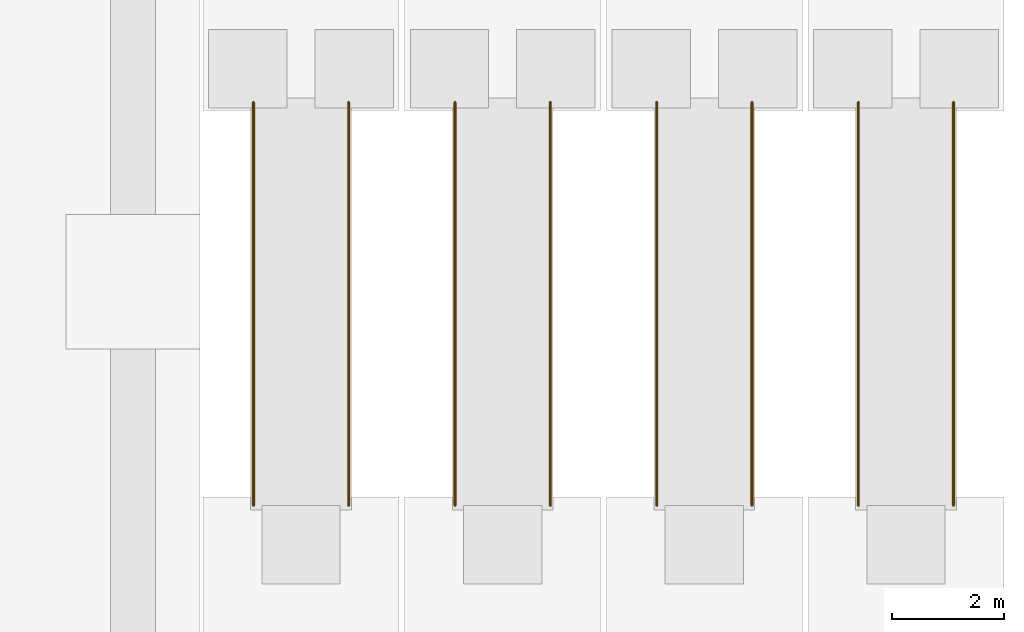
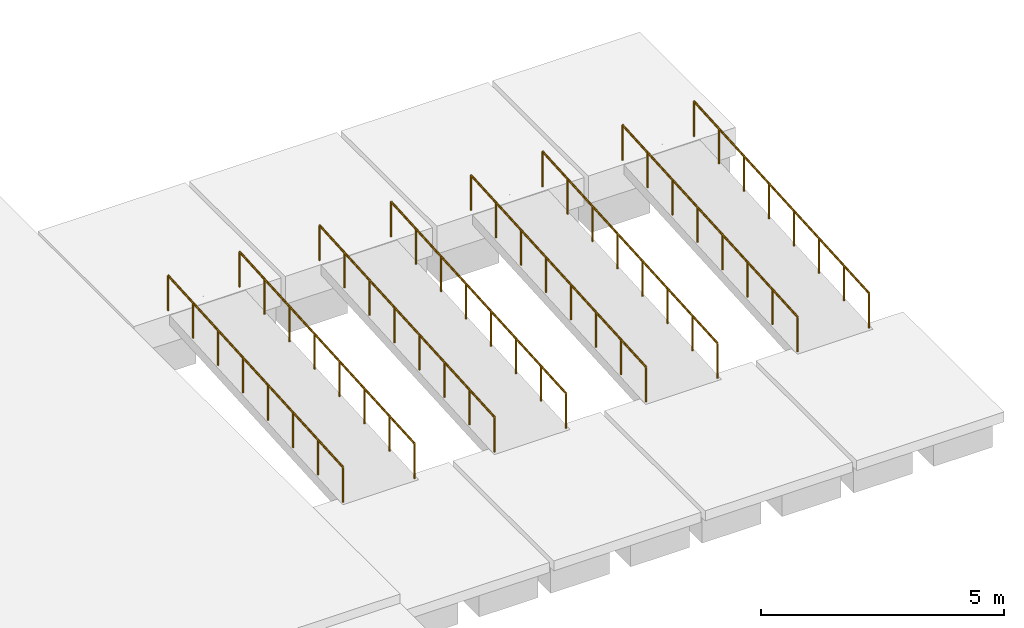
# One storey, part 25 of 26: 8 railings.
"""IFC4 building model written with IfcOpenShell, lengths in metres."""

from ifc_helpers import new_model, si_unit, direction, frame, origin, origin_2d, place, context, subcontext, project, spatial, circle, extrude, material, type_object, element, save


model = new_model("IFC4")

# Units and contexts
model_context = context("Model", 3, precision=1e-05, world=origin(), true_north=direction((0.0, 1.0)))
body_context = subcontext(model_context, "Body", "Model", "MODEL_VIEW")
ifc_project = project(units=[si_unit("LENGTHUNIT", "METRE"), si_unit("AREAUNIT", "SQUARE_METRE"), si_unit("VOLUMEUNIT", "CUBIC_METRE"), si_unit("PLANEANGLEUNIT", "RADIAN"), si_unit("MASSUNIT", "GRAM", prefix="KILO")], contexts=[model_context])

# Site, building, storey
site_placement = place(None, origin())
site = spatial("IfcSite", under=ifc_project, at=site_placement, CompositionType="ELEMENT")
building_placement = place(site_placement, origin())
building = spatial("IfcBuilding", under=site, at=building_placement, Name="Catumbela Crestline Tower", CompositionType="ELEMENT")
storey_placement = place(building_placement, origin())
storey = spatial("IfcBuildingStorey", under=building, at=storey_placement, Name="L00", CompositionType="ELEMENT", Elevation=0.0)

# Railings
ifc_material = material(Name="Stainless steel EN 1.4401", Category="steel")
railing_type = type_object("IfcRailingType", Name="RH-0900", PredefinedType="HANDRAIL", material=ifc_material)
for number, where, name in (
    (1, (68.95, 4.0, -0.45), "L00 Plaza Ramp 01 Handrail W"),
    (2, (70.65, 4.0, -0.45), "L00 Plaza Ramp 01 Handrail E"),
    (3, (72.55, 4.0, -0.45), "L00 Plaza Ramp 02 Handrail W"),
    (4, (74.25, 4.0, -0.45), "L00 Plaza Ramp 02 Handrail E"),
    (5, (76.15, 4.0, -0.45), "L00 Plaza Ramp 03 Handrail W"),
    (6, (77.85, 4.0, -0.45), "L00 Plaza Ramp 03 Handrail E"),
    (7, (79.75, 4.0, -0.45), "L00 Plaza Ramp 04 Handrail W"),
    (8, (81.45, 4.0, -0.45), "L00 Plaza Ramp 04 Handrail E"),
):
    element("IfcRailing", number, at=place(storey_placement, frame(where)), inside=storey, type_object=railing_type, Name=name, PredefinedType="HANDRAIL", context=body_context, shape_type="SweptSolid", body=[
        extrude(circle(Radius=0.024, at=origin_2d()), frame((0.0, 0.0, 0.876), z_axis=(0.0, 0.998052578483, 0.062378286155), x_axis=(-1.0, 0.0, 0.0)), (0.0, 0.0, 1.0), 7.214),
        extrude(circle(Radius=0.021, at=origin_2d()), origin(), (0.0, 0.0, 1.0), 0.852),
        extrude(circle(Radius=0.021, at=origin_2d()), frame((0.0, 1.0286, 0.0643)), (0.0, 0.0, 1.0), 0.852),
        extrude(circle(Radius=0.021, at=origin_2d()), frame((0.0, 2.0571, 0.1286)), (0.0, 0.0, 1.0), 0.852),
        extrude(circle(Radius=0.021, at=origin_2d()), frame((0.0, 3.0857, 0.1929)), (0.0, 0.0, 1.0), 0.852),
        extrude(circle(Radius=0.021, at=origin_2d()), frame((0.0, 4.1143, 0.2571)), (0.0, 0.0, 1.0), 0.852),
        extrude(circle(Radius=0.021, at=origin_2d()), frame((0.0, 5.1429, 0.3214)), (0.0, 0.0, 1.0), 0.852),
        extrude(circle(Radius=0.021, at=origin_2d()), frame((0.0, 6.1714, 0.3857)), (0.0, 0.0, 1.0), 0.852),
        extrude(circle(Radius=0.021, at=origin_2d()), frame((0.0, 7.2, 0.45)), (0.0, 0.0, 1.0), 0.852),
    ])

save(model, "model.ifc")
